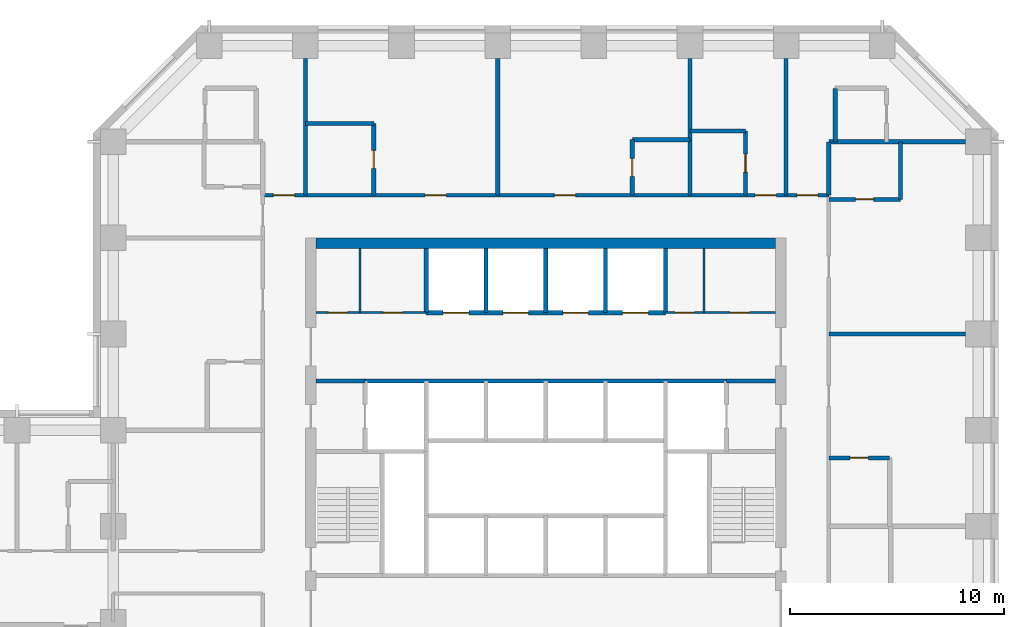
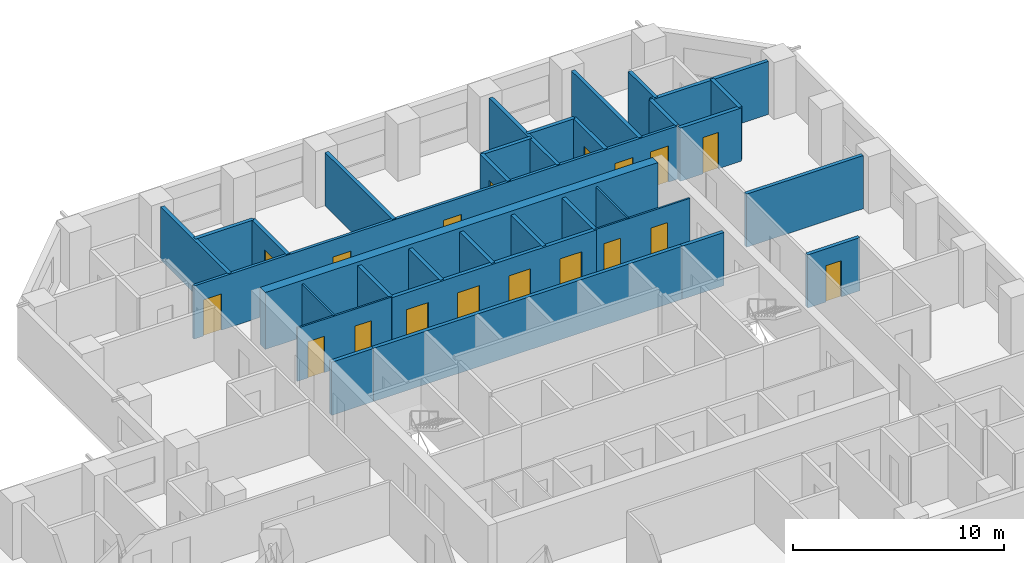
# One storey, part 10 of 13: 32 walls, 18 doors, 18 openings.
"""IFC4 building model written with IfcOpenShell, lengths in metres."""

from ifc_helpers import new_model, si_unit, direction, frame, frame_2d, origin, place, context, subcontext, project, spatial, rectangle, extrude, material, layer, layer_set, type_object, element, fill, save


model = new_model("IFC4")

# Units and contexts
model_context = context("Model", 3, precision=1e-05, world=origin(), true_north=direction((0.0, 1.0)))
body_context = subcontext(model_context, "Body", "Model", "MODEL_VIEW")
ifc_project = project(units=[si_unit("LENGTHUNIT", "METRE"), si_unit("AREAUNIT", "SQUARE_METRE"), si_unit("VOLUMEUNIT", "CUBIC_METRE"), si_unit("PLANEANGLEUNIT", "RADIAN"), si_unit("MASSUNIT", "GRAM", prefix="KILO")], contexts=[model_context])

# Site, building, storey
site_placement = place(None, origin())
site = spatial("IfcSite", under=ifc_project, at=site_placement, CompositionType="ELEMENT")
building_placement = place(site_placement, origin())
building = spatial("IfcBuilding", under=site, at=building_placement, Name="Quoin Convention Tower", CompositionType="ELEMENT")
storey_placement = place(building_placement, frame((0.0, 0.0, 36.300048828125)))
storey = spatial("IfcBuildingStorey", under=building, at=storey_placement, Name="L08", CompositionType="ELEMENT", Elevation=36.300048828125)

# Wall, openings, doors
ifc_material_1 = material(Name="Plasterboard")
ifc_layer_1 = layer(ifc_material_1, 0.012451171875, Name="Finish")
ifc_material_2 = material(Name="Steel stud framing", Category="steel")
ifc_layer_2 = layer(ifc_material_2, 0.074951171875, Name="Structure")
ifc_layer_3 = layer(ifc_material_1, 0.012451171875, Name="Finish")
ifc_layer_set_1 = layer_set([ifc_layer_1, ifc_layer_2, ifc_layer_3], Name="Steel stud framing")
wall_type_1 = type_object("IfcWallType", Name="Core partition wall", PredefinedType="PARTITIONING", material=ifc_layer_set_1)
wall_1_placement = place(storey_placement, frame((45.5, 68.5, 0.0), z_axis=(0.0, 0.0, 1.0), x_axis=(1.0, 0.0, 0.0)))
wall_1 = element("IfcWall", 1, at=wall_1_placement, inside=storey, type_object=wall_type_1, Name="cr-C1-L08-h19000_500", PredefinedType="PARTITIONING", context=body_context, shape_type="SweptSolid", body=[
    extrude(rectangle(XDim=5.14990234375, YDim=0.10009765625, at=frame_2d((2.574951171875, 0.0))), origin(), (0.0, 0.0, 1.0), 3.079833984375),
])
opening_1_placement = place(wall_1_placement, frame((0.580078125, 0.0, 0.0)))
opening_1 = element("IfcOpeningElement", 2, at=opening_1_placement, cuts=wall_1, Name="Opening DCV3-17", PredefinedType="OPENING", context=body_context, shape_type="SweptSolid", body=[
    extrude(rectangle(XDim=0.89990234375, YDim=2.10009765625, at=frame_2d((0.449951171875, 1.050048828125))), frame((0.0, 0.06005859375, 0.0), z_axis=(0.0, -1.0, 0.0), x_axis=(1.0, 0.0, 0.0)), (0.0, 0.0, 1.0), 0.1201171875),
])
opening_2_placement = place(wall_1_placement, frame((3.155029296875, 0.0, 0.0)))
opening_2 = element("IfcOpeningElement", 3, at=opening_2_placement, cuts=wall_1, Name="Opening DCV3-18", PredefinedType="OPENING", context=body_context, shape_type="SweptSolid", body=[
    extrude(rectangle(XDim=0.89990234375, YDim=2.10009765625, at=frame_2d((0.449951171875, 1.050048828125))), frame((0.0, 0.06005859375, 0.0), z_axis=(0.0, -1.0, 0.0), x_axis=(1.0, 0.0, 0.0)), (0.0, 0.0, 1.0), 0.1201171875),
])
ifc_material_3 = material(Name="Steel door leaf", Category="steel")
door_type_1 = type_object("IfcDoorType", Name="Core room door 900 x 2100", OperationType="SINGLE_SWING_LEFT", PredefinedType="DOOR", material=ifc_material_3)
door_1_placement = place(opening_1_placement, origin())
door_1 = element("IfcDoor", 4, at=door_1_placement, inside=storey, type_object=door_type_1, Name="cd-C1-L08-CNW0-lobB-CD0809", OperationType="SINGLE_SWING_RIGHT", OverallHeight=2.10009765625, OverallWidth=0.89990234375, PredefinedType="DOOR", context=body_context, shape_type="SweptSolid", body=[
    extrude(rectangle(XDim=0.89990234375, YDim=2.10009765625, at=frame_2d((0.449951171875, 1.050048828125))), frame((0.0, 0.02490234375, 0.0), z_axis=(0.0, -1.0, 0.0), x_axis=(1.0, 0.0, 0.0)), (0.0, 0.0, 1.0), 0.050048828125),
])
fill(opening_1, door_1)
door_2_placement = place(opening_2_placement, origin())
door_2 = element("IfcDoor", 5, at=door_2_placement, inside=storey, type_object=door_type_1, Name="cd-C1-L08-CNW1-lobB-CD0810", OperationType="SINGLE_SWING_RIGHT", OverallHeight=2.10009765625, OverallWidth=0.89990234375, PredefinedType="DOOR", context=body_context, shape_type="SweptSolid", body=[
    extrude(rectangle(XDim=0.89990234375, YDim=2.10009765625, at=frame_2d((0.449951171875, 1.050048828125))), frame((0.0, 0.02490234375, 0.0), z_axis=(0.0, -1.0, 0.0), x_axis=(1.0, 0.0, 0.0)), (0.0, 0.0, 1.0), 0.050048828125),
])
fill(opening_2, door_2)

wall_2_placement = place(storey_placement, frame((61.85009765625, 68.5, 0.0), z_axis=(0.0, 0.0, 1.0), x_axis=(1.0, 0.0, 0.0)))
wall_2 = element("IfcWall", 6, at=wall_2_placement, inside=storey, type_object=wall_type_1, Name="cr-C1-L08-h19000_16850", PredefinedType="PARTITIONING", context=body_context, shape_type="SweptSolid", body=[
    extrude(rectangle(XDim=5.14990234375, YDim=0.10009765625, at=frame_2d((2.574951171875, 0.0))), origin(), (0.0, 0.0, 1.0), 3.079833984375),
])
opening_3_placement = place(wall_2_placement, frame((3.0263671875, 0.0, 0.0)))
opening_3 = element("IfcOpeningElement", 7, at=opening_3_placement, cuts=wall_2, Name="Opening DCV3-03", PredefinedType="OPENING", context=body_context, shape_type="SweptSolid", body=[
    extrude(rectangle(XDim=0.89990234375, YDim=2.10009765625, at=frame_2d((0.449951171875, 1.050048828125))), frame((0.0, 0.06005859375, 0.0), z_axis=(0.0, -1.0, 0.0), x_axis=(1.0, 0.0, 0.0)), (0.0, 0.0, 1.0), 0.1201171875),
])
opening_4_placement = place(wall_2_placement, frame((0.451171875, 0.0, 0.0)))
opening_4 = element("IfcOpeningElement", 8, at=opening_4_placement, cuts=wall_2, Name="Opening DCV3-01", PredefinedType="OPENING", context=body_context, shape_type="SweptSolid", body=[
    extrude(rectangle(XDim=0.89990234375, YDim=2.10009765625, at=frame_2d((0.449951171875, 1.050048828125))), frame((0.0, 0.06005859375, 0.0), z_axis=(0.0, -1.0, 0.0), x_axis=(1.0, 0.0, 0.0)), (0.0, 0.0, 1.0), 0.1201171875),
])
door_3_placement = place(opening_3_placement, origin())
door_3 = element("IfcDoor", 9, at=door_3_placement, inside=storey, type_object=door_type_1, Name="cd-C1-L08-CNE0-lobB-CD0807", OperationType="SINGLE_SWING_RIGHT", OverallHeight=2.10009765625, OverallWidth=0.89990234375, PredefinedType="DOOR", context=body_context, shape_type="SweptSolid", body=[
    extrude(rectangle(XDim=0.89990234375, YDim=2.10009765625, at=frame_2d((0.449951171875, 1.050048828125))), frame((0.0, 0.02490234375, 0.0), z_axis=(0.0, -1.0, 0.0), x_axis=(1.0, 0.0, 0.0)), (0.0, 0.0, 1.0), 0.050048828125),
])
fill(opening_3, door_3)
door_4_placement = place(opening_4_placement, origin())
door_4 = element("IfcDoor", 10, at=door_4_placement, inside=storey, type_object=door_type_1, Name="cd-C1-L08-CNE1-lobB-CD0808", OperationType="SINGLE_SWING_LEFT", OverallHeight=2.10009765625, OverallWidth=0.89990234375, PredefinedType="DOOR", context=body_context, shape_type="SweptSolid", body=[
    extrude(rectangle(XDim=0.89990234375, YDim=2.10009765625, at=frame_2d((0.449951171875, 1.050048828125))), frame((0.0, 0.02490234375, 0.0), z_axis=(0.0, -1.0, 0.0), x_axis=(1.0, 0.0, 0.0)), (0.0, 0.0, 1.0), 0.050048828125),
])
fill(opening_4, door_4)

# Walls
for number, where, z_axis, x_axis, name in (
    (11, (47.56005859375, 68.5, 0.0), (0.0, 0.0, 1.0), (0.0, 1.0, 0.0), "cr-C1-L08-v2560_19000"),
    (12, (63.652587890625, 68.5, 0.0), (0.0, 0.0, 1.0), (0.0, 1.0, 0.0), "cr-C1-L08-v18652_19000"),
):
    element("IfcWall", number, at=place(storey_placement, frame(where, z_axis=z_axis, x_axis=x_axis)), inside=storey, type_object=wall_type_1, Name=name, PredefinedType="PARTITIONING", context=body_context, shape_type="SweptSolid", body=[
        extrude(rectangle(XDim=3.0, YDim=0.10009765625, at=frame_2d((1.5, 0.0))), origin(), (0.0, 0.0, 1.0), 3.079833984375),
    ])
ifc_material_4 = material(Name="Concrete C50", Category="concrete")
ifc_layer_4 = layer(ifc_material_4, 0.199951171875)
ifc_layer_set_2 = layer_set([ifc_layer_4], Name="Concrete C50")
wall_type_2 = type_object("IfcWallType", Name="Core shaft wall", PredefinedType="SOLIDWALL", material=ifc_layer_set_2)
for number, where, z_axis, x_axis, name in (
    (13, (45.5, 65.300048828125, 0.0), (0.0, 0.0, 1.0), (1.0, 0.0, 0.0), "cr-C1-L08-h15800_500"),
    (14, (64.699951171875, 65.300048828125, 0.0), (0.0, 0.0, 1.0), (1.0, 0.0, 0.0), "cr-C1-L08-h15800_19700"),
):
    element("IfcWall", number, at=place(storey_placement, frame(where, z_axis=z_axis, x_axis=x_axis)), inside=storey, type_object=wall_type_2, Name=name, PredefinedType="SOLIDWALL", context=body_context, shape_type="SweptSolid", body=[
        extrude(rectangle(XDim=2.300048828125, YDim=0.199951171875, at=frame_2d((1.14990234375, 0.0))), origin(), (0.0, 0.0, 1.0), 3.079833984375),
    ])
wall_3_placement = place(storey_placement, frame((47.800048828125, 65.300048828125, 0.0), z_axis=(0.0, 0.0, 1.0), x_axis=(1.0, 0.0, 0.0)))
element("IfcWall", 15, at=wall_3_placement, inside=storey, type_object=wall_type_2, Name="cr-C1-L08-h15800_2800", PredefinedType="SOLIDWALL", context=body_context, shape_type="SweptSolid", body=[
    extrude(rectangle(XDim=16.89990234375, YDim=0.199951171875, at=frame_2d((8.449951171875, 0.0))), origin(), (0.0, 0.0, 1.0), 3.079833984375),
])

# Wall, openings, doors
wall_4_placement = place(storey_placement, frame((50.64990234375, 68.5, 0.0), z_axis=(0.0, 0.0, 1.0), x_axis=(1.0, 0.0, 0.0)))
wall_4 = element("IfcWall", 16, at=wall_4_placement, inside=storey, type_object=wall_type_2, Name="cr-C1-L08-h19000_5650", PredefinedType="SOLIDWALL", context=body_context, shape_type="SweptSolid", body=[
    extrude(rectangle(XDim=11.2001953125, YDim=0.199951171875, at=frame_2d((5.60009765625, 0.0))), origin(), (0.0, 0.0, 1.0), 3.079833984375),
])
opening_5_placement = place(wall_4_placement, frame((0.800048828125, 0.0, 0.0)))
opening_5 = element("IfcOpeningElement", 17, at=opening_5_placement, cuts=wall_4, Name="Opening LDL5", PredefinedType="OPENING", context=body_context, shape_type="SweptSolid", body=[
    extrude(rectangle(XDim=1.199951171875, YDim=2.10009765625, at=frame_2d((0.60009765625, 1.050048828125))), frame((0.0, 0.10986328125, 0.0), z_axis=(0.0, -1.0, 0.0), x_axis=(1.0, 0.0, 0.0)), (0.0, 0.0, 1.0), 0.219970703125),
])
opening_6_placement = place(wall_4_placement, frame((3.60009765625, 0.0, 0.0)))
opening_6 = element("IfcOpeningElement", 18, at=opening_6_placement, cuts=wall_4, Name="Opening LDL6", PredefinedType="OPENING", context=body_context, shape_type="SweptSolid", body=[
    extrude(rectangle(XDim=1.199951171875, YDim=2.10009765625, at=frame_2d((0.60009765625, 1.050048828125))), frame((0.0, 0.10986328125, 0.0), z_axis=(0.0, -1.0, 0.0), x_axis=(1.0, 0.0, 0.0)), (0.0, 0.0, 1.0), 0.219970703125),
])
opening_7_placement = place(wall_4_placement, frame((6.39990234375, 0.0, 0.0)))
opening_7 = element("IfcOpeningElement", 19, at=opening_7_placement, cuts=wall_4, Name="Opening LDL7", PredefinedType="OPENING", context=body_context, shape_type="SweptSolid", body=[
    extrude(rectangle(XDim=1.199951171875, YDim=2.10009765625, at=frame_2d((0.60009765625, 1.050048828125))), frame((0.0, 0.10986328125, 0.0), z_axis=(0.0, -1.0, 0.0), x_axis=(1.0, 0.0, 0.0)), (0.0, 0.0, 1.0), 0.219970703125),
])
opening_8_placement = place(wall_4_placement, frame((9.199951171875, 0.0, 0.0)))
opening_8 = element("IfcOpeningElement", 20, at=opening_8_placement, cuts=wall_4, Name="Opening LDL8", PredefinedType="OPENING", context=body_context, shape_type="SweptSolid", body=[
    extrude(rectangle(XDim=1.199951171875, YDim=2.10009765625, at=frame_2d((0.60009765625, 1.050048828125))), frame((0.0, 0.10986328125, 0.0), z_axis=(0.0, -1.0, 0.0), x_axis=(1.0, 0.0, 0.0)), (0.0, 0.0, 1.0), 0.219970703125),
])
door_type_2 = type_object("IfcDoorType", Name="Lift landing door 1200 x 2100", OperationType="DOUBLE_DOOR_SLIDING", PredefinedType="DOOR", material=ifc_material_3)
door_5_placement = place(opening_5_placement, origin())
door_5 = element("IfcDoor", 21, at=door_5_placement, inside=storey, type_object=door_type_2, Name="cd-C1-L08-R40-lobB-LDL5", OperationType="DOUBLE_DOOR_SLIDING", OverallHeight=2.10009765625, OverallWidth=1.199951171875, PredefinedType="DOOR", context=body_context, shape_type="SweptSolid", body=[
    extrude(rectangle(XDim=1.199951171875, YDim=2.10009765625, at=frame_2d((0.60009765625, 1.050048828125))), frame((0.0, 0.02490234375, 0.0), z_axis=(0.0, -1.0, 0.0), x_axis=(1.0, 0.0, 0.0)), (0.0, 0.0, 1.0), 0.050048828125),
])
fill(opening_5, door_5)
door_6_placement = place(opening_6_placement, origin())
door_6 = element("IfcDoor", 22, at=door_6_placement, inside=storey, type_object=door_type_2, Name="cd-C1-L08-R41-lobB-LDL6", OperationType="DOUBLE_DOOR_SLIDING", OverallHeight=2.10009765625, OverallWidth=1.199951171875, PredefinedType="DOOR", context=body_context, shape_type="SweptSolid", body=[
    extrude(rectangle(XDim=1.199951171875, YDim=2.10009765625, at=frame_2d((0.60009765625, 1.050048828125))), frame((0.0, 0.02490234375, 0.0), z_axis=(0.0, -1.0, 0.0), x_axis=(1.0, 0.0, 0.0)), (0.0, 0.0, 1.0), 0.050048828125),
])
fill(opening_6, door_6)
door_7_placement = place(opening_7_placement, origin())
door_7 = element("IfcDoor", 23, at=door_7_placement, inside=storey, type_object=door_type_2, Name="cd-C1-L08-R42-lobB-LDL7", OperationType="DOUBLE_DOOR_SLIDING", OverallHeight=2.10009765625, OverallWidth=1.199951171875, PredefinedType="DOOR", context=body_context, shape_type="SweptSolid", body=[
    extrude(rectangle(XDim=1.199951171875, YDim=2.10009765625, at=frame_2d((0.60009765625, 1.050048828125))), frame((0.0, 0.02490234375, 0.0), z_axis=(0.0, -1.0, 0.0), x_axis=(1.0, 0.0, 0.0)), (0.0, 0.0, 1.0), 0.050048828125),
])
fill(opening_7, door_7)
door_8_placement = place(opening_8_placement, origin())
door_8 = element("IfcDoor", 24, at=door_8_placement, inside=storey, type_object=door_type_2, Name="cd-C1-L08-R43-lobB-LDL8", OperationType="DOUBLE_DOOR_SLIDING", OverallHeight=2.10009765625, OverallWidth=1.199951171875, PredefinedType="DOOR", context=body_context, shape_type="SweptSolid", body=[
    extrude(rectangle(XDim=1.199951171875, YDim=2.10009765625, at=frame_2d((0.60009765625, 1.050048828125))), frame((0.0, 0.02490234375, 0.0), z_axis=(0.0, -1.0, 0.0), x_axis=(1.0, 0.0, 0.0)), (0.0, 0.0, 1.0), 0.050048828125),
])
fill(opening_8, door_8)

# Walls
for number, where, z_axis, x_axis, name in (
    (25, (50.64990234375, 68.5, 0.0), (0.0, 0.0, 1.0), (0.0, 1.0, 0.0), "cr-C1-L08-v5650_19000"),
    (26, (53.449951171875, 68.5, 0.0), (0.0, 0.0, 1.0), (0.0, 1.0, 0.0), "cr-C1-L08-v8450_19000"),
    (27, (56.25, 68.5, 0.0), (0.0, 0.0, 1.0), (0.0, 1.0, 0.0), "cr-C1-L08-v11250_19000"),
    (28, (59.050048828125, 68.5, 0.0), (0.0, 0.0, 1.0), (0.0, 1.0, 0.0), "cr-C1-L08-v14050_19000"),
    (29, (61.85009765625, 68.5, 0.0), (0.0, 0.0, 1.0), (0.0, 1.0, 0.0), "cr-C1-L08-v16850_19000"),
):
    element("IfcWall", number, at=place(storey_placement, frame(where, z_axis=z_axis, x_axis=x_axis)), inside=storey, type_object=wall_type_2, Name=name, PredefinedType="SOLIDWALL", context=body_context, shape_type="SweptSolid", body=[
        extrude(rectangle(XDim=3.0, YDim=0.199951171875, at=frame_2d((1.5, 0.0))), origin(), (0.0, 0.0, 1.0), 3.079833984375),
    ])
ifc_material_5 = material(Name="Concrete C80", Category="concrete")
ifc_layer_5 = layer(ifc_material_5, 0.5)
ifc_layer_set_3 = layer_set([ifc_layer_5], Name="Concrete C80")
wall_type_3 = type_object("IfcWallType", Name="RC CORE WALL 500 C80", PredefinedType="SHEAR", material=ifc_layer_set_3)
wall_5_placement = place(storey_placement, frame((45.5, 71.75, 0.0), z_axis=(0.0, 0.0, 1.0), x_axis=(1.0, 0.0, 0.0)))
element("IfcWall", 30, at=wall_5_placement, inside=storey, type_object=wall_type_3, Name="cwl-C1-L08-N", PredefinedType="SHEAR", context=body_context, shape_type="SweptSolid", body=[
    extrude(rectangle(XDim=21.5, YDim=0.5, at=frame_2d((10.75, 0.0))), origin(), (0.0, 0.0, 1.0), 3.300048828125),
])

# Wall, opening, door
ifc_layer_6 = layer(ifc_material_4, 0.199951171875)
ifc_layer_set_4 = layer_set([ifc_layer_6], Name="Concrete C50")
wall_type_4 = type_object("IfcWallType", Name="RC party wall", PredefinedType="SOLIDWALL", material=ifc_layer_set_4)
wall_6_placement = place(storey_placement, frame((69.5, 61.699951171875, 0.0), z_axis=(0.0, 0.0, 1.0), x_axis=(1.0, 0.0, 0.0)))
wall_6 = element("IfcWall", 31, at=wall_6_placement, inside=storey, type_object=wall_type_4, Name="pw-L08-125", PredefinedType="SOLIDWALL", context=body_context, shape_type="SweptSolid", body=[
    extrude(rectangle(XDim=2.85009765625, YDim=0.199951171875, at=frame_2d((1.425048828125, 0.0))), origin(), (0.0, 0.0, 1.0), 3.079833984375),
])
opening_9_placement = place(wall_6_placement, frame((1.0, 0.0, 0.0)))
opening_9 = element("IfcOpeningElement", 32, at=opening_9_placement, cuts=wall_6, Name="Opening DHOTEL-D-65", PredefinedType="OPENING", context=body_context, shape_type="SweptSolid", body=[
    extrude(rectangle(XDim=0.85009765625, YDim=2.10009765625, at=frame_2d((0.425048828125, 1.050048828125))), frame((0.0, 0.10986328125, 0.0), z_axis=(0.0, -1.0, 0.0), x_axis=(1.0, 0.0, 0.0)), (0.0, 0.0, 1.0), 0.219970703125),
])
door_type_3 = type_object("IfcDoorType", Name="Bathroom door", OperationType="SINGLE_SWING_LEFT", PredefinedType="DOOR", material=ifc_material_3)
door_9_placement = place(opening_9_placement, origin())
door_9 = element("IfcDoor", 33, at=door_9_placement, inside=storey, type_object=door_type_3, Name="dr-L08-050", OperationType="SINGLE_SWING_LEFT", OverallHeight=2.10009765625, OverallWidth=0.85009765625, PredefinedType="DOOR", context=body_context, shape_type="SweptSolid", body=[
    extrude(rectangle(XDim=0.85009765625, YDim=2.10009765625, at=frame_2d((0.425048828125, 1.050048828125))), frame((0.0, 0.02490234375, 0.0), z_axis=(0.0, -1.0, 0.0), x_axis=(1.0, 0.0, 0.0)), (0.0, 0.0, 1.0), 0.050048828125),
])
fill(opening_9, door_9)

# Wall
wall_7_placement = place(storey_placement, frame((69.5, 67.5, 0.0), z_axis=(0.0, 0.0, 1.0), x_axis=(1.0, 0.0, 0.0)))
element("IfcWall", 34, at=wall_7_placement, inside=storey, type_object=wall_type_4, Name="pw-L08-128", PredefinedType="SOLIDWALL", context=body_context, shape_type="SweptSolid", body=[
    extrude(rectangle(XDim=6.39990234375, YDim=0.199951171875, at=frame_2d((3.199951171875, 0.0))), origin(), (0.0, 0.0, 1.0), 3.079833984375),
])

# Wall, opening, door
wall_8_placement = place(storey_placement, frame((69.5, 73.800048828125, 0.0), z_axis=(0.0, 0.0, 1.0), x_axis=(1.0, 0.0, 0.0)))
wall_8 = element("IfcWall", 35, at=wall_8_placement, inside=storey, type_object=wall_type_4, Name="pw-L08-130", PredefinedType="SOLIDWALL", context=body_context, shape_type="SweptSolid", body=[
    extrude(rectangle(XDim=3.35009765625, YDim=0.199951171875, at=frame_2d((1.675048828125, 0.0))), origin(), (0.0, 0.0, 1.0), 3.079833984375),
])
opening_10_placement = place(wall_8_placement, frame((1.25, 0.0, 0.0)))
opening_10 = element("IfcOpeningElement", 36, at=opening_10_placement, cuts=wall_8, Name="Opening DHOTEL-D-67", PredefinedType="OPENING", context=body_context, shape_type="SweptSolid", body=[
    extrude(rectangle(XDim=0.85009765625, YDim=2.10009765625, at=frame_2d((0.425048828125, 1.050048828125))), frame((0.0, 0.10986328125, 0.0), z_axis=(0.0, -1.0, 0.0), x_axis=(1.0, 0.0, 0.0)), (0.0, 0.0, 1.0), 0.219970703125),
])
door_10_placement = place(opening_10_placement, frame((0.85009765625, 0.0, 0.0), z_axis=(0.0, 0.0, 1.0), x_axis=(-1.0, 0.0, 0.0)))
door_10 = element("IfcDoor", 37, at=door_10_placement, inside=storey, type_object=door_type_3, Name="dr-L08-048", OperationType="SINGLE_SWING_RIGHT", OverallHeight=2.10009765625, OverallWidth=0.85009765625, PredefinedType="DOOR", context=body_context, shape_type="SweptSolid", body=[
    extrude(rectangle(XDim=0.85009765625, YDim=2.10009765625, at=frame_2d((0.425048828125, 1.050048828125))), frame((0.0, 0.02490234375, 0.0), z_axis=(0.0, -1.0, 0.0), x_axis=(1.0, 0.0, 0.0)), (0.0, 0.0, 1.0), 0.050048828125),
])
fill(opening_10, door_10)

# Walls
wall_9_placement = place(storey_placement, frame((72.85009765625, 73.800048828125, 0.0), z_axis=(0.0, 0.0, 1.0), x_axis=(0.0, 1.0, 0.0)))
element("IfcWall", 38, at=wall_9_placement, inside=storey, type_object=wall_type_4, Name="pw-L08-131", PredefinedType="SOLIDWALL", context=body_context, shape_type="SweptSolid", body=[
    extrude(rectangle(XDim=2.699951171875, YDim=0.199951171875, at=frame_2d((1.35009765625, 0.0))), origin(), (0.0, 0.0, 1.0), 3.079833984375),
])
wall_10_placement = place(storey_placement, frame((45.0, 74.0, 0.0), z_axis=(0.0, 0.0, 1.0), x_axis=(0.0, 1.0, 0.0)))
element("IfcWall", 39, at=wall_10_placement, inside=storey, type_object=wall_type_4, Name="pw-L08-133", PredefinedType="SOLIDWALL", context=body_context, shape_type="SweptSolid", body=[
    extrude(rectangle(XDim=6.39990234375, YDim=0.199951171875, at=frame_2d((3.199951171875, 0.0))), origin(), (0.0, 0.0, 1.0), 3.079833984375),
])

# Wall, opening, door
wall_11_placement = place(storey_placement, frame((48.199951171875, 74.0, 0.0), z_axis=(0.0, 0.0, 1.0), x_axis=(0.0, 1.0, 0.0)))
wall_11 = element("IfcWall", 40, at=wall_11_placement, inside=storey, type_object=wall_type_4, Name="pw-L08-134", PredefinedType="SOLIDWALL", context=body_context, shape_type="SweptSolid", body=[
    extrude(rectangle(XDim=3.35009765625, YDim=0.199951171875, at=frame_2d((1.675048828125, 0.0))), origin(), (0.0, 0.0, 1.0), 3.079833984375),
])
opening_11_placement = place(wall_11_placement, frame((1.25, 0.0, 0.0)))
opening_11 = element("IfcOpeningElement", 41, at=opening_11_placement, cuts=wall_11, Name="Opening DHOTEL-D-68", PredefinedType="OPENING", context=body_context, shape_type="SweptSolid", body=[
    extrude(rectangle(XDim=0.85009765625, YDim=2.10009765625, at=frame_2d((0.425048828125, 1.050048828125))), frame((0.0, 0.10986328125, 0.0), z_axis=(0.0, -1.0, 0.0), x_axis=(1.0, 0.0, 0.0)), (0.0, 0.0, 1.0), 0.219970703125),
])
door_11_placement = place(opening_11_placement, frame((0.85009765625, 0.0, 0.0), z_axis=(0.0, 0.0, 1.0), x_axis=(-1.0, 0.0, 0.0)))
door_11 = element("IfcDoor", 42, at=door_11_placement, inside=storey, type_object=door_type_3, Name="dr-L08-042", OperationType="SINGLE_SWING_RIGHT", OverallHeight=2.10009765625, OverallWidth=0.85009765625, PredefinedType="DOOR", context=body_context, shape_type="SweptSolid", body=[
    extrude(rectangle(XDim=0.85009765625, YDim=2.10009765625, at=frame_2d((0.425048828125, 1.050048828125))), frame((0.0, 0.02490234375, 0.0), z_axis=(0.0, -1.0, 0.0), x_axis=(1.0, 0.0, 0.0)), (0.0, 0.0, 1.0), 0.050048828125),
])
fill(opening_11, door_11)

# Wall
wall_12_placement = place(storey_placement, frame((54.0, 74.0, 0.0), z_axis=(0.0, 0.0, 1.0), x_axis=(0.0, 1.0, 0.0)))
element("IfcWall", 43, at=wall_12_placement, inside=storey, type_object=wall_type_4, Name="pw-L08-135", PredefinedType="SOLIDWALL", context=body_context, shape_type="SweptSolid", body=[
    extrude(rectangle(XDim=6.39990234375, YDim=0.199951171875, at=frame_2d((3.199951171875, 0.0))), origin(), (0.0, 0.0, 1.0), 3.079833984375),
])

# Wall, opening, door
wall_13_placement = place(storey_placement, frame((60.300048828125, 74.0, 0.0), z_axis=(0.0, 0.0, 1.0), x_axis=(0.0, 1.0, 0.0)))
wall_13 = element("IfcWall", 44, at=wall_13_placement, inside=storey, type_object=wall_type_4, Name="pw-L08-136", PredefinedType="SOLIDWALL", context=body_context, shape_type="SweptSolid", body=[
    extrude(rectangle(XDim=2.60009765625, YDim=0.199951171875, at=frame_2d((1.300048828125, 0.0))), origin(), (0.0, 0.0, 1.0), 3.079833984375),
])
opening_12_placement = place(wall_13_placement, frame((0.875, 0.0, 0.0)))
opening_12 = element("IfcOpeningElement", 45, at=opening_12_placement, cuts=wall_13, Name="Opening DHOTEL-D-69", PredefinedType="OPENING", context=body_context, shape_type="SweptSolid", body=[
    extrude(rectangle(XDim=0.85009765625, YDim=2.10009765625, at=frame_2d((0.425048828125, 1.050048828125))), frame((0.0, 0.10986328125, 0.0), z_axis=(0.0, -1.0, 0.0), x_axis=(1.0, 0.0, 0.0)), (0.0, 0.0, 1.0), 0.219970703125),
])
door_12_placement = place(opening_12_placement, origin())
door_12 = element("IfcDoor", 46, at=door_12_placement, inside=storey, type_object=door_type_3, Name="dr-L08-044", OperationType="SINGLE_SWING_LEFT", OverallHeight=2.10009765625, OverallWidth=0.85009765625, PredefinedType="DOOR", context=body_context, shape_type="SweptSolid", body=[
    extrude(rectangle(XDim=0.85009765625, YDim=2.10009765625, at=frame_2d((0.425048828125, 1.050048828125))), frame((0.0, 0.02490234375, 0.0), z_axis=(0.0, -1.0, 0.0), x_axis=(1.0, 0.0, 0.0)), (0.0, 0.0, 1.0), 0.050048828125),
])
fill(opening_12, door_12)

# Wall
wall_14_placement = place(storey_placement, frame((63.0, 74.0, 0.0), z_axis=(0.0, 0.0, 1.0), x_axis=(0.0, 1.0, 0.0)))
element("IfcWall", 47, at=wall_14_placement, inside=storey, type_object=wall_type_4, Name="pw-L08-137", PredefinedType="SOLIDWALL", context=body_context, shape_type="SweptSolid", body=[
    extrude(rectangle(XDim=6.39990234375, YDim=0.199951171875, at=frame_2d((3.199951171875, 0.0))), origin(), (0.0, 0.0, 1.0), 3.079833984375),
])

# Wall, opening, door
wall_15_placement = place(storey_placement, frame((65.60009765625, 74.0, 0.0), z_axis=(0.0, 0.0, 1.0), x_axis=(0.0, 1.0, 0.0)))
wall_15 = element("IfcWall", 48, at=wall_15_placement, inside=storey, type_object=wall_type_4, Name="pw-L08-138", PredefinedType="SOLIDWALL", context=body_context, shape_type="SweptSolid", body=[
    extrude(rectangle(XDim=3.0, YDim=0.199951171875, at=frame_2d((1.5, 0.0))), origin(), (0.0, 0.0, 1.0), 3.079833984375),
])
opening_13_placement = place(wall_15_placement, frame((1.074951171875, 0.0, 0.0)))
opening_13 = element("IfcOpeningElement", 49, at=opening_13_placement, cuts=wall_15, Name="Opening DHOTEL-D-70", PredefinedType="OPENING", context=body_context, shape_type="SweptSolid", body=[
    extrude(rectangle(XDim=0.85009765625, YDim=2.10009765625, at=frame_2d((0.425048828125, 1.050048828125))), frame((0.0, 0.10986328125, 0.0), z_axis=(0.0, -1.0, 0.0), x_axis=(1.0, 0.0, 0.0)), (0.0, 0.0, 1.0), 0.219970703125),
])
door_13_placement = place(opening_13_placement, frame((0.85009765625, 0.0, 0.0), z_axis=(0.0, 0.0, 1.0), x_axis=(-1.0, 0.0, 0.0)))
door_13 = element("IfcDoor", 50, at=door_13_placement, inside=storey, type_object=door_type_3, Name="dr-L08-046", OperationType="SINGLE_SWING_RIGHT", OverallHeight=2.10009765625, OverallWidth=0.85009765625, PredefinedType="DOOR", context=body_context, shape_type="SweptSolid", body=[
    extrude(rectangle(XDim=0.85009765625, YDim=2.10009765625, at=frame_2d((0.425048828125, 1.050048828125))), frame((0.0, 0.02490234375, 0.0), z_axis=(0.0, -1.0, 0.0), x_axis=(1.0, 0.0, 0.0)), (0.0, 0.0, 1.0), 0.050048828125),
])
fill(opening_13, door_13)

# Walls
wall_16_placement = place(storey_placement, frame((67.5, 74.0, 0.0), z_axis=(0.0, 0.0, 1.0), x_axis=(0.0, 1.0, 0.0)))
element("IfcWall", 51, at=wall_16_placement, inside=storey, type_object=wall_type_4, Name="pw-L08-139", PredefinedType="SOLIDWALL", context=body_context, shape_type="SweptSolid", body=[
    extrude(rectangle(XDim=6.39990234375, YDim=0.199951171875, at=frame_2d((3.199951171875, 0.0))), origin(), (0.0, 0.0, 1.0), 3.079833984375),
])
wall_17_placement = place(storey_placement, frame((69.5, 74.0, 0.0), z_axis=(0.0, 0.0, 1.0), x_axis=(0.0, 1.0, 0.0)))
element("IfcWall", 52, at=wall_17_placement, inside=storey, type_object=wall_type_4, Name="pw-L08-140", PredefinedType="SOLIDWALL", context=body_context, shape_type="SweptSolid", body=[
    extrude(rectangle(XDim=2.5, YDim=0.199951171875, at=frame_2d((1.25, 0.0))), origin(), (0.0, 0.0, 1.0), 3.079833984375),
])
wall_18_placement = place(storey_placement, frame((69.5, 76.5, 0.0), z_axis=(0.0, 0.0, 1.0), x_axis=(1.0, 0.0, 0.0)))
element("IfcWall", 53, at=wall_18_placement, inside=storey, type_object=wall_type_4, Name="pw-L08-146", PredefinedType="SOLIDWALL", context=body_context, shape_type="SweptSolid", body=[
    extrude(rectangle(XDim=6.39990234375, YDim=0.199951171875, at=frame_2d((3.199951171875, 0.0))), origin(), (0.0, 0.0, 1.0), 3.079833984375),
])
wall_19_placement = place(storey_placement, frame((69.800048828125, 76.5, 0.0), z_axis=(0.0, 0.0, 1.0), x_axis=(0.0, 1.0, 0.0)))
element("IfcWall", 54, at=wall_19_placement, inside=storey, type_object=wall_type_4, Name="pw-L08-147", PredefinedType="SOLIDWALL", context=body_context, shape_type="SweptSolid", body=[
    extrude(rectangle(XDim=2.5, YDim=0.199951171875, at=frame_2d((1.25, 0.0))), origin(), (0.0, 0.0, 1.0), 3.079833984375),
])
wall_20_placement = place(storey_placement, frame((60.300048828125, 76.60009765625, 0.0), z_axis=(0.0, 0.0, 1.0), x_axis=(1.0, 0.0, 0.0)))
element("IfcWall", 55, at=wall_20_placement, inside=storey, type_object=wall_type_4, Name="pw-L08-149", PredefinedType="SOLIDWALL", context=body_context, shape_type="SweptSolid", body=[
    extrude(rectangle(XDim=2.699951171875, YDim=0.199951171875, at=frame_2d((1.35009765625, 0.0))), origin(), (0.0, 0.0, 1.0), 3.079833984375),
])
wall_21_placement = place(storey_placement, frame((63.0, 77.0, 0.0), z_axis=(0.0, 0.0, 1.0), x_axis=(1.0, 0.0, 0.0)))
element("IfcWall", 56, at=wall_21_placement, inside=storey, type_object=wall_type_4, Name="pw-L08-150", PredefinedType="SOLIDWALL", context=body_context, shape_type="SweptSolid", body=[
    extrude(rectangle(XDim=2.60009765625, YDim=0.199951171875, at=frame_2d((1.300048828125, 0.0))), origin(), (0.0, 0.0, 1.0), 3.079833984375),
])
wall_22_placement = place(storey_placement, frame((45.0, 77.35009765625, 0.0), z_axis=(0.0, 0.0, 1.0), x_axis=(1.0, 0.0, 0.0)))
element("IfcWall", 57, at=wall_22_placement, inside=storey, type_object=wall_type_4, Name="pw-L08-151", PredefinedType="SOLIDWALL", context=body_context, shape_type="SweptSolid", body=[
    extrude(rectangle(XDim=3.199951171875, YDim=0.199951171875, at=frame_2d((1.60009765625, 0.0))), origin(), (0.0, 0.0, 1.0), 3.079833984375),
])

# Wall, openings, doors
ifc_layer_7 = layer(ifc_material_1, 0.012451171875, Name="Finish")
ifc_layer_8 = layer(ifc_material_2, 0.125, Name="Structure")
ifc_layer_9 = layer(ifc_material_1, 0.012451171875, Name="Finish")
ifc_layer_set_5 = layer_set([ifc_layer_7, ifc_layer_8, ifc_layer_9], Name="Steel stud framing")
wall_type_5 = type_object("IfcWallType", Name="corridor partition", PredefinedType="PARTITIONING", material=ifc_layer_set_5)
wall_23_placement = place(storey_placement, frame((43.0, 74.0, 0.0), z_axis=(0.0, 0.0, 1.0), x_axis=(1.0, 0.0, 0.0)))
wall_23 = element("IfcWall", 58, at=wall_23_placement, inside=storey, type_object=wall_type_5, Name="pw-L08-038", PredefinedType="PARTITIONING", context=body_context, shape_type="SweptSolid", body=[
    extrude(rectangle(XDim=26.5, YDim=0.14990234375, at=frame_2d((13.25, 0.0))), origin(), (0.0, 0.0, 1.0), 3.079833984375),
])
opening_14_placement = place(wall_23_placement, frame((7.60009765625, 0.0, 0.0)))
opening_14 = element("IfcOpeningElement", 59, at=opening_14_placement, cuts=wall_23, Name="Opening DHOTEL-D-38", PredefinedType="OPENING", context=body_context, shape_type="SweptSolid", body=[
    extrude(rectangle(XDim=1.0, YDim=2.10009765625, at=frame_2d((0.5, 1.050048828125))), frame((0.0, 0.0849609375, 0.0), z_axis=(0.0, -1.0, 0.0), x_axis=(1.0, 0.0, 0.0)), (0.0, 0.0, 1.0), 0.169921875),
])
opening_15_placement = place(wall_23_placement, frame((13.64990234375, 0.0, 0.0)))
opening_15 = element("IfcOpeningElement", 60, at=opening_15_placement, cuts=wall_23, Name="Opening DHOTEL-D-39", PredefinedType="OPENING", context=body_context, shape_type="SweptSolid", body=[
    extrude(rectangle(XDim=1.0, YDim=2.10009765625, at=frame_2d((0.5, 1.050048828125))), frame((0.0, 0.0849609375, 0.0), z_axis=(0.0, -1.0, 0.0), x_axis=(1.0, 0.0, 0.0)), (0.0, 0.0, 1.0), 0.169921875),
])
opening_16_placement = place(wall_23_placement, frame((23.050048828125, 0.0, 0.0)))
opening_16 = element("IfcOpeningElement", 61, at=opening_16_placement, cuts=wall_23, Name="Opening DHOTEL-D-40", PredefinedType="OPENING", context=body_context, shape_type="SweptSolid", body=[
    extrude(rectangle(XDim=1.0, YDim=2.10009765625, at=frame_2d((0.5, 1.050048828125))), frame((0.0, 0.0849609375, 0.0), z_axis=(0.0, -1.0, 0.0), x_axis=(1.0, 0.0, 0.0)), (0.0, 0.0, 1.0), 0.169921875),
])
opening_17_placement = place(wall_23_placement, frame((0.5, 0.0, 0.0)))
opening_17 = element("IfcOpeningElement", 62, at=opening_17_placement, cuts=wall_23, Name="Opening DHOTEL-D-37", PredefinedType="OPENING", context=body_context, shape_type="SweptSolid", body=[
    extrude(rectangle(XDim=1.0, YDim=2.10009765625, at=frame_2d((0.5, 1.050048828125))), frame((0.0, 0.0849609375, 0.0), z_axis=(0.0, -1.0, 0.0), x_axis=(1.0, 0.0, 0.0)), (0.0, 0.0, 1.0), 0.169921875),
])
opening_18_placement = place(wall_23_placement, frame((25.0, 0.0, 0.0)))
opening_18 = element("IfcOpeningElement", 63, at=opening_18_placement, cuts=wall_23, Name="Opening DHOTEL-D-41", PredefinedType="OPENING", context=body_context, shape_type="SweptSolid", body=[
    extrude(rectangle(XDim=1.0, YDim=2.10009765625, at=frame_2d((0.5, 1.050048828125))), frame((0.0, 0.0849609375, 0.0), z_axis=(0.0, -1.0, 0.0), x_axis=(1.0, 0.0, 0.0)), (0.0, 0.0, 1.0), 0.169921875),
])
door_type_4 = type_object("IfcDoorType", Name="Hotel room door", OperationType="SINGLE_SWING_LEFT", PredefinedType="DOOR", material=ifc_material_3)
door_14_placement = place(opening_14_placement, origin())
door_14 = element("IfcDoor", 64, at=door_14_placement, inside=storey, type_object=door_type_4, Name="dr-L08-041", OperationType="SINGLE_SWING_RIGHT", OverallHeight=2.10009765625, OverallWidth=1.0, PredefinedType="DOOR", context=body_context, shape_type="SweptSolid", body=[
    extrude(rectangle(XDim=1.0, YDim=2.10009765625, at=frame_2d((0.5, 1.050048828125))), frame((0.0, 0.02490234375, 0.0), z_axis=(0.0, -1.0, 0.0), x_axis=(1.0, 0.0, 0.0)), (0.0, 0.0, 1.0), 0.050048828125),
])
fill(opening_14, door_14)
door_15_placement = place(opening_15_placement, origin())
door_15 = element("IfcDoor", 65, at=door_15_placement, inside=storey, type_object=door_type_4, Name="dr-L08-043", OperationType="SINGLE_SWING_RIGHT", OverallHeight=2.10009765625, OverallWidth=1.0, PredefinedType="DOOR", context=body_context, shape_type="SweptSolid", body=[
    extrude(rectangle(XDim=1.0, YDim=2.10009765625, at=frame_2d((0.5, 1.050048828125))), frame((0.0, 0.02490234375, 0.0), z_axis=(0.0, -1.0, 0.0), x_axis=(1.0, 0.0, 0.0)), (0.0, 0.0, 1.0), 0.050048828125),
])
fill(opening_15, door_15)
door_16_placement = place(opening_16_placement, origin())
door_16 = element("IfcDoor", 66, at=door_16_placement, inside=storey, type_object=door_type_4, Name="dr-L08-045", OperationType="SINGLE_SWING_RIGHT", OverallHeight=2.10009765625, OverallWidth=1.0, PredefinedType="DOOR", context=body_context, shape_type="SweptSolid", body=[
    extrude(rectangle(XDim=1.0, YDim=2.10009765625, at=frame_2d((0.5, 1.050048828125))), frame((0.0, 0.02490234375, 0.0), z_axis=(0.0, -1.0, 0.0), x_axis=(1.0, 0.0, 0.0)), (0.0, 0.0, 1.0), 0.050048828125),
])
fill(opening_16, door_16)
door_17_placement = place(opening_17_placement, origin())
door_17 = element("IfcDoor", 67, at=door_17_placement, inside=storey, type_object=door_type_4, Name="dr-L08-065", OperationType="SINGLE_SWING_RIGHT", OverallHeight=2.10009765625, OverallWidth=1.0, PredefinedType="DOOR", context=body_context, shape_type="SweptSolid", body=[
    extrude(rectangle(XDim=1.0, YDim=2.10009765625, at=frame_2d((0.5, 1.050048828125))), frame((0.0, 0.02490234375, 0.0), z_axis=(0.0, -1.0, 0.0), x_axis=(1.0, 0.0, 0.0)), (0.0, 0.0, 1.0), 0.050048828125),
])
fill(opening_17, door_17)
door_18_placement = place(opening_18_placement, origin())
door_18 = element("IfcDoor", 68, at=door_18_placement, inside=storey, type_object=door_type_4, Name="dr-L08-067", OperationType="SINGLE_SWING_RIGHT", OverallHeight=2.10009765625, OverallWidth=1.0, PredefinedType="DOOR", context=body_context, shape_type="SweptSolid", body=[
    extrude(rectangle(XDim=1.0, YDim=2.10009765625, at=frame_2d((0.5, 1.050048828125))), frame((0.0, 0.02490234375, 0.0), z_axis=(0.0, -1.0, 0.0), x_axis=(1.0, 0.0, 0.0)), (0.0, 0.0, 1.0), 0.050048828125),
])
fill(opening_18, door_18)

save(model, "model.ifc")
